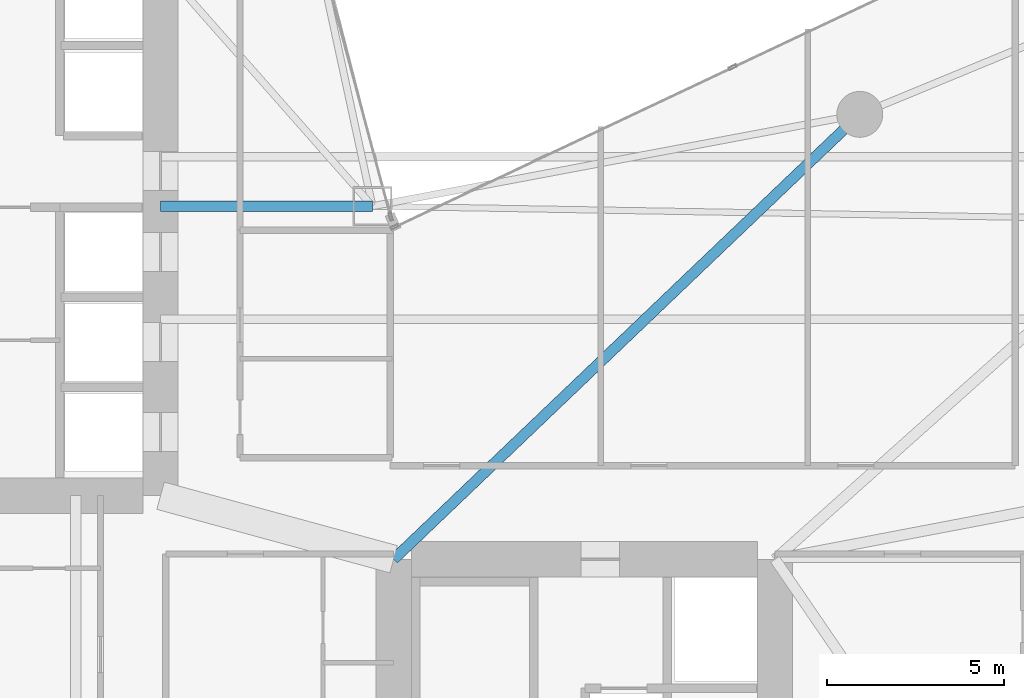
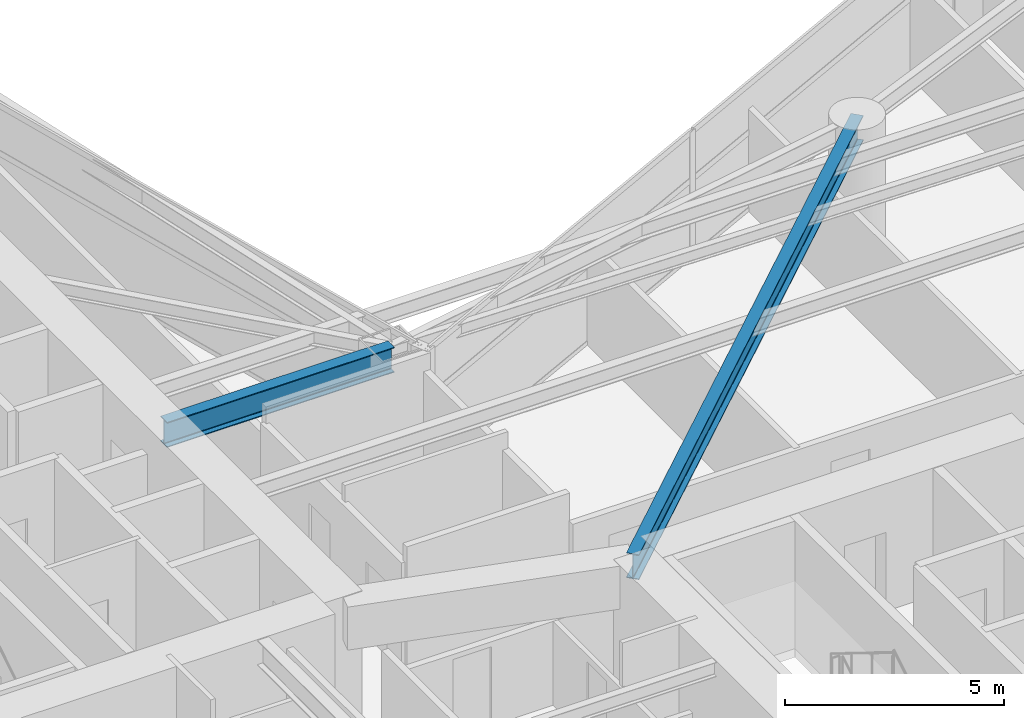
# One storey, part 9 of 29: 2 beams.
"""IFC4 building model written with IfcOpenShell, lengths in metres."""

from ifc_helpers import new_model, si_unit, direction, frame, origin, origin_2d, place, context, subcontext, project, spatial, i_section, extrude, material, material_profile, profile_set, type_object, element, save


model = new_model("IFC4")

# Units and contexts
model_context = context("Model", 3, precision=1e-05, world=origin(), true_north=direction((0.0, 1.0)))
body_context = subcontext(model_context, "Body", "Model", "MODEL_VIEW")
ifc_project = project(units=[si_unit("LENGTHUNIT", "METRE"), si_unit("AREAUNIT", "SQUARE_METRE"), si_unit("VOLUMEUNIT", "CUBIC_METRE"), si_unit("PLANEANGLEUNIT", "RADIAN"), si_unit("MASSUNIT", "GRAM", prefix="KILO")], contexts=[model_context])

# Site, building, storey
site_placement = place(None, origin())
site = spatial("IfcSite", under=ifc_project, at=site_placement, CompositionType="ELEMENT")
building_placement = place(site_placement, origin())
building = spatial("IfcBuilding", under=site, at=building_placement, Name="Calvorn Quay Hotel", CompositionType="ELEMENT")
storey_placement = place(building_placement, frame((0.0, 0.0, 62.199951171875)))
storey = spatial("IfcBuildingStorey", under=building, at=storey_placement, Name="L14", CompositionType="ELEMENT", Elevation=62.199951171875)

# Beams
ifc_material = material(Name="Steel Q390GJC", Category="steel")
ifc_material_profile = material_profile(ifc_material, i_section(OverallWidth=0.300048828125, OverallDepth=0.699951171875, WebThickness=0.012939453125, FlangeThickness=0.02392578125, FilletRadius=0.02392578125, at=origin_2d()), Name="HN700x300x13x24")
ifc_profile_set = profile_set([ifc_material_profile], Name="Steel Q390GJC")
beam_type = type_object("IfcBeamType", Name="BM-GIRD-MAIN", PredefinedType="BEAM", material=ifc_profile_set)
beam_1_placement = place(storey_placement, frame((21.0, 25.0, 3.18994140625), z_axis=(-1.0, 0.0, 0.0), x_axis=(0.0, -1.0, 0.0)))
element("IfcBeam", 1, at=beam_1_placement, inside=storey, type_object=beam_type, Name="Beam BG-L14-W7", PredefinedType="BEAM", context=body_context, shape_type="SweptSolid", body=[
    extrude(i_section(OverallWidth=0.300048828125, OverallDepth=0.699951171875, WebThickness=0.012939453125, FlangeThickness=0.02392578125, FilletRadius=0.02392578125, at=origin_2d()), origin(), (0.0, 0.0, 1.0), 6.0),
])
beam_2_placement = place(storey_placement, frame((21.60009765625, 15.0, 3.18994140625), z_axis=(0.723351595578, 0.690479883252, 0.0), x_axis=(-0.690479883252, 0.723351595578, 0.0)))
element("IfcBeam", 2, at=beam_2_placement, inside=storey, type_object=beam_type, Name="Beam BG-L14-E4", PredefinedType="BEAM", context=body_context, shape_type="SweptSolid", body=[
    extrude(i_section(OverallWidth=0.300048828125, OverallDepth=0.699951171875, WebThickness=0.012939453125, FlangeThickness=0.02392578125, FilletRadius=0.02392578125, at=origin_2d()), origin(), (0.0, 0.0, 1.0), 18.248291015625),
])

save(model, "model.ifc")
